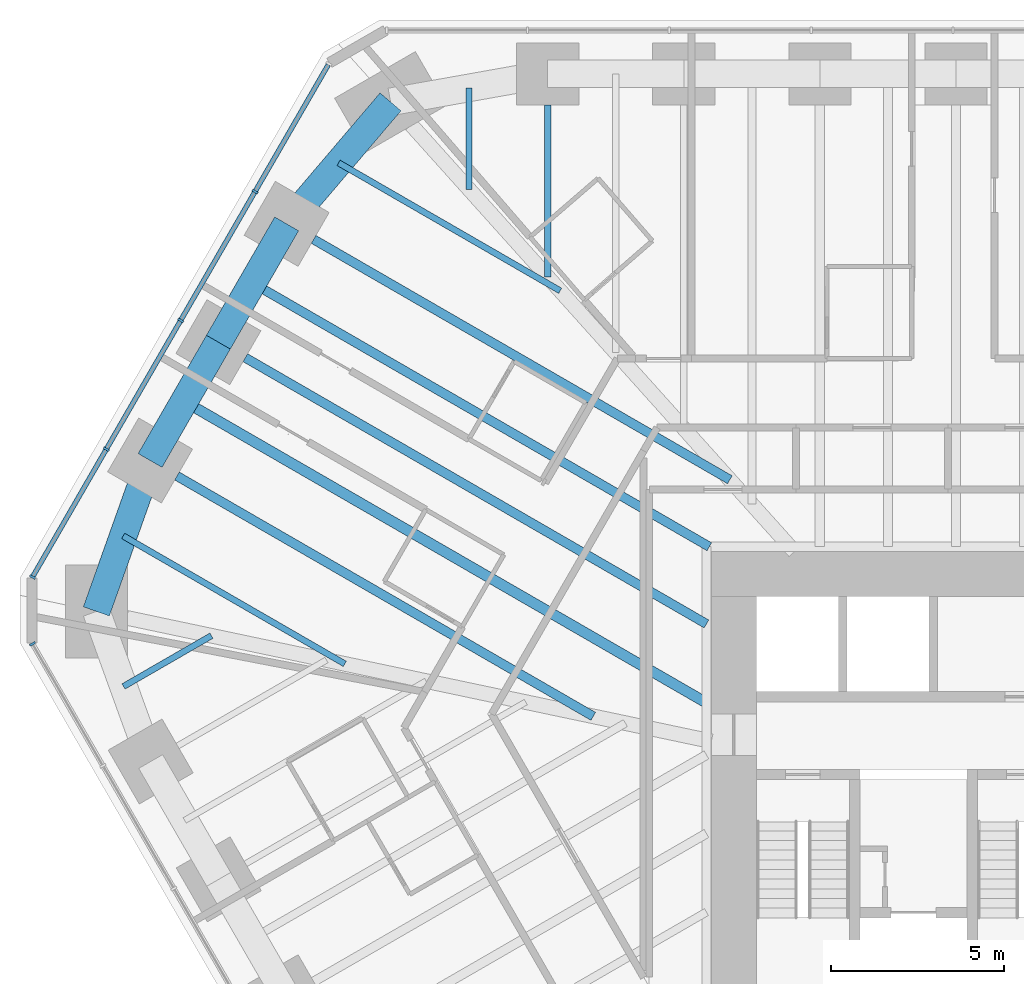
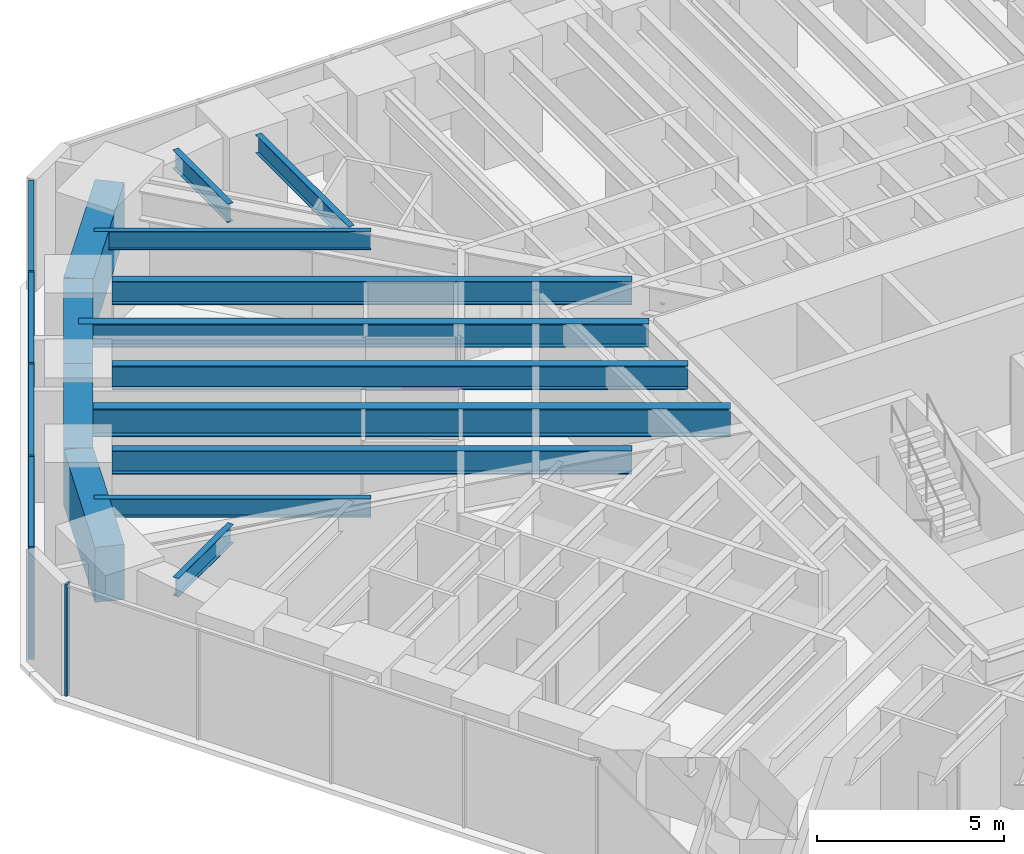
# One storey, part 7 of 17: 14 beams, 9 members, 2 elements without a shape of their own.
"""IFC4 building model written with IfcOpenShell, lengths in metres."""

from ifc_helpers import new_model, si_unit, direction, frame, origin, origin_2d, place, context, subcontext, project, spatial, rectangle, i_section, extrude, material, material_profile, profile_set, type_object, element, aggregate, save


model = new_model("IFC4")

# Units and contexts
model_context = context("Model", 3, precision=1e-05, world=origin(), true_north=direction((0.0, 1.0)))
body_context = subcontext(model_context, "Body", "Model", "MODEL_VIEW")
ifc_project = project(units=[si_unit("LENGTHUNIT", "METRE"), si_unit("AREAUNIT", "SQUARE_METRE"), si_unit("VOLUMEUNIT", "CUBIC_METRE"), si_unit("PLANEANGLEUNIT", "RADIAN"), si_unit("MASSUNIT", "GRAM", prefix="KILO")], contexts=[model_context])

# Site, building, storey
site_placement = place(None, origin())
site = spatial("IfcSite", under=ifc_project, at=site_placement, CompositionType="ELEMENT")
building_placement = place(site_placement, origin())
building = spatial("IfcBuilding", under=site, at=building_placement, Name="Sandreach Pilgrim Tower", CompositionType="ELEMENT")
storey_placement = place(building_placement, frame((0.0, 0.0, 108.199951171875)))
storey = spatial("IfcBuildingStorey", under=building, at=storey_placement, Name="L26", CompositionType="ELEMENT", Elevation=108.199951171875)

# Curtain wall, member
ifc_material_1 = material(Name="Aluminium framed curtain wall", Category="aluminium")
curtain_wall_type = type_object("IfcCurtainWallType", Name="Hotel tower curtain wall", PredefinedType="NOTDEFINED", material=ifc_material_1)
curtain_wall_1_placement = place(storey_placement, origin())
curtain_wall_1 = element("IfcCurtainWall", 1, at=curtain_wall_1_placement, inside=storey, type_object=curtain_wall_type, Name="CW-2 L26 SW", PredefinedType="NOTDEFINED")
ifc_material_2 = material(Name="Aluminium extrusion", Category="aluminium")
ifc_material_profile_1 = material_profile(ifc_material_2, rectangle(XDim=0.06494140625, YDim=0.179931640625, at=origin_2d()), Name="CW-2M 65X180")
ifc_profile_set_1 = profile_set([ifc_material_profile_1], Name="Aluminium extrusion")
member_type_1 = type_object("IfcMemberType", Name="CW-2 mullion", PredefinedType="MULLION", material=ifc_profile_set_1)
member_1_placement = place(storey_placement, frame((-28.70458984375, 4.730224609375, 0.0), z_axis=(0.0, 0.0, 1.0), x_axis=(-0.5, 0.866025403784, 0.0)))
member_1 = element("IfcMember", 2, at=member_1_placement, type_object=member_type_1, Name="CW-2 mullion 10", PredefinedType="MULLION", context=body_context, shape_type="SweptSolid", body=[
    extrude(rectangle(XDim=0.06494140625, YDim=0.179931640625, at=origin_2d()), origin(), (0.0, 0.0, 1.0), 3.64013671875),
])
aggregate(curtain_wall_1, [member_1])

# Curtain wall, members
curtain_wall_2_placement = place(storey_placement, origin())
curtain_wall_2 = element("IfcCurtainWall", 3, at=curtain_wall_2_placement, inside=storey, type_object=curtain_wall_type, Name="CW-2 L26 NW", PredefinedType="NOTDEFINED")
member_2_placement = place(storey_placement, frame((-28.70458984375, 6.66650390625, 0.0), z_axis=(0.0, 0.0, 1.0), x_axis=(0.5, 0.866025403784, 0.0)))
member_2 = element("IfcMember", 4, at=member_2_placement, type_object=member_type_1, Name="CW-2 mullion 1", PredefinedType="MULLION", context=body_context, shape_type="SweptSolid", body=[
    extrude(rectangle(XDim=0.06494140625, YDim=0.179931640625, at=origin_2d()), origin(), (0.0, 0.0, 1.0), 3.64013671875),
])
member_3_placement = place(storey_placement, frame((-26.568115234375, 10.3671875, 0.0), z_axis=(0.0, 0.0, 1.0), x_axis=(0.5, 0.866025403784, 0.0)))
member_3 = element("IfcMember", 5, at=member_3_placement, type_object=member_type_1, Name="CW-2 mullion 2", PredefinedType="MULLION", context=body_context, shape_type="SweptSolid", body=[
    extrude(rectangle(XDim=0.06494140625, YDim=0.179931640625, at=origin_2d()), origin(), (0.0, 0.0, 1.0), 3.64013671875),
])
member_4_placement = place(storey_placement, frame((-24.415283203125, 14.09619140625, 0.0), z_axis=(0.0, 0.0, 1.0), x_axis=(0.5, 0.866025403784, 0.0)))
member_4 = element("IfcMember", 6, at=member_4_placement, type_object=member_type_1, Name="CW-2 mullion 3", PredefinedType="MULLION", context=body_context, shape_type="SweptSolid", body=[
    extrude(rectangle(XDim=0.06494140625, YDim=0.179931640625, at=origin_2d()), origin(), (0.0, 0.0, 1.0), 3.64013671875),
])
member_5_placement = place(storey_placement, frame((-22.262451171875, 17.824951171875, 0.0), z_axis=(0.0, 0.0, 1.0), x_axis=(0.5, 0.866025403784, 0.0)))
member_5 = element("IfcMember", 7, at=member_5_placement, type_object=member_type_1, Name="CW-2 mullion 4", PredefinedType="MULLION", context=body_context, shape_type="SweptSolid", body=[
    extrude(rectangle(XDim=0.06494140625, YDim=0.179931640625, at=origin_2d()), origin(), (0.0, 0.0, 1.0), 3.64013671875),
])
ifc_material_3 = material(Name="Aluminium extrusion", Category="aluminium")
ifc_material_profile_2 = material_profile(ifc_material_3, rectangle(XDim=0.139892578125, YDim=0.070068359375, at=origin_2d()), Name="CW-2T 140X70")
ifc_profile_set_2 = profile_set([ifc_material_profile_2], Name="Aluminium extrusion")
member_type_2 = type_object("IfcMemberType", Name="CW-2 transom", PredefinedType="USERDEFINED", material=ifc_profile_set_2)
member_6_placement = place(storey_placement, frame((-28.6884765625, 6.69482421875, 3.60498046875), z_axis=(0.500038835258, 0.866002981077, 0.0), x_axis=(-0.866002981077, 0.500038835258, 0.0)))
member_6 = element("IfcMember", 8, at=member_6_placement, type_object=member_type_2, Name="CW-2 head transom 1", ObjectType="TRANSOM", PredefinedType="USERDEFINED", context=body_context, shape_type="SweptSolid", body=[
    extrude(rectangle(XDim=0.139892578125, YDim=0.070068359375, at=origin_2d()), origin(), (0.0, 0.0, 1.0), 4.208251953125),
])
member_7_placement = place(storey_placement, frame((-26.5517578125, 10.3955078125, 3.60498046875), z_axis=(0.500021471012, 0.866013007135, 0.0), x_axis=(-0.866013007135, 0.500021471012, 0.0)))
member_7 = element("IfcMember", 9, at=member_7_placement, type_object=member_type_2, Name="CW-2 head transom 2", ObjectType="TRANSOM", PredefinedType="USERDEFINED", context=body_context, shape_type="SweptSolid", body=[
    extrude(rectangle(XDim=0.139892578125, YDim=0.070068359375, at=origin_2d()), origin(), (0.0, 0.0, 1.0), 4.240478515625),
])
member_8_placement = place(storey_placement, frame((-24.39892578125, 14.124267578125, 3.60498046875), z_axis=(0.499996541496, 0.866027400544, 0.0), x_axis=(-0.866027400544, 0.499996541496, 0.0)))
member_8 = element("IfcMember", 10, at=member_8_placement, type_object=member_type_2, Name="CW-2 head transom 3", ObjectType="TRANSOM", PredefinedType="USERDEFINED", context=body_context, shape_type="SweptSolid", body=[
    extrude(rectangle(XDim=0.139892578125, YDim=0.070068359375, at=origin_2d()), origin(), (0.0, 0.0, 1.0), 4.24072265625),
])
member_9_placement = place(storey_placement, frame((-22.24609375, 17.85302734375, 3.60498046875), z_axis=(0.49997020258, 0.86604260665, 0.0), x_axis=(-0.86604260665, 0.49997020258, 0.0)))
member_9 = element("IfcMember", 11, at=member_9_placement, type_object=member_type_2, Name="CW-2 head transom 4", ObjectType="TRANSOM", PredefinedType="USERDEFINED", context=body_context, shape_type="SweptSolid", body=[
    extrude(rectangle(XDim=0.139892578125, YDim=0.070068359375, at=origin_2d()), origin(), (0.0, 0.0, 1.0), 4.208251953125),
])
aggregate(curtain_wall_2, [member_2, member_3, member_4, member_5, member_6, member_7, member_8, member_9])

# Beams
ifc_material_4 = material(Name="Steel ASTM A992 Grade 50", Category="steel")
ifc_material_profile_3 = material_profile(ifc_material_4, i_section(OverallWidth=0.1787109375, OverallDepth=0.60205078125, WebThickness=0.010986328125, FlangeThickness=0.014892578125, at=origin_2d()), Name="W24X62")
ifc_profile_set_3 = profile_set([ifc_material_profile_3], Name="Steel ASTM A992 Grade 50")
beam_type_1 = type_object("IfcBeamType", Name="Floor beam W24X62", PredefinedType="BEAM", material=ifc_profile_set_3)
beam_1_placement = place(storey_placement, frame((-13.789794921875, 20.333740234375, 3.339111328125), z_axis=(0.0, -1.0, 0.0), x_axis=(1.0, 0.0, 0.0)))
element("IfcBeam", 12, at=beam_1_placement, inside=storey, type_object=beam_type_1, Name="BM L26 F01", PredefinedType="BEAM", context=body_context, shape_type="SweptSolid", body=[
    extrude(i_section(OverallWidth=0.1787109375, OverallDepth=0.60205078125, WebThickness=0.010986328125, FlangeThickness=0.014892578125, at=origin_2d()), origin(), (0.0, 0.0, 1.0), 4.9765625),
])
beam_2_placement = place(storey_placement, frame((-26.070556640625, 3.498046875, 3.339111328125), z_axis=(0.866051374412, 0.499955014855, 0.0), x_axis=(-0.499955014855, 0.866051374412, 0.0)))
element("IfcBeam", 13, at=beam_2_placement, inside=storey, type_object=beam_type_1, Name="BM L26 FM34", PredefinedType="BEAM", context=body_context, shape_type="SweptSolid", body=[
    extrude(i_section(OverallWidth=0.1787109375, OverallDepth=0.60205078125, WebThickness=0.010986328125, FlangeThickness=0.014892578125, at=origin_2d()), origin(), (0.0, 0.0, 1.0), 2.938232421875),
])
for number, where, z_axis, x_axis, name in (
    (14, (-26.079345703125, 7.855712890625, 3.339111328125), (0.866025875064, -0.499999183719, 0.0), (0.499999183719, 0.866025875064, 0.0), "BM L26 FM35"),
    (15, (-19.8427734375, 18.65771484375, 3.339111328125), (0.866025875064, -0.499999183719, 0.0), (0.499999183719, 0.866025875064, 0.0), "BM L26 FM38"),
):
    element("IfcBeam", number, at=place(storey_placement, frame(where, z_axis=z_axis, x_axis=x_axis)), inside=storey, type_object=beam_type_1, Name=name, PredefinedType="BEAM", context=body_context, shape_type="SweptSolid", body=[
        extrude(i_section(OverallWidth=0.1787109375, OverallDepth=0.60205078125, WebThickness=0.010986328125, FlangeThickness=0.014892578125, at=origin_2d()), origin(), (0.0, 0.0, 1.0), 7.40771484375),
    ])
beam_3_placement = place(storey_placement, frame((-16.064697265625, 20.828857421875, 3.339111328125), z_axis=(0.0, -1.0, 0.0), x_axis=(1.0, 0.0, 0.0)))
element("IfcBeam", 16, at=beam_3_placement, inside=storey, type_object=beam_type_1, Name="BM L26 FM39", PredefinedType="BEAM", context=body_context, shape_type="SweptSolid", body=[
    extrude(i_section(OverallWidth=0.1787109375, OverallDepth=0.60205078125, WebThickness=0.010986328125, FlangeThickness=0.014892578125, at=origin_2d()), origin(), (0.0, 0.0, 1.0), 2.938232421875),
])
ifc_material_5 = material(Name="Steel ASTM A992 Grade 50", Category="steel")
ifc_material_profile_4 = material_profile(ifc_material_5, i_section(OverallWidth=0.2666015625, OverallDepth=0.761962890625, WebThickness=0.014404296875, FlangeThickness=0.021484375, at=origin_2d()), Name="W30X116")
ifc_profile_set_4 = profile_set([ifc_material_profile_4], Name="Steel ASTM A992 Grade 50")
beam_type_2 = type_object("IfcBeamType", Name="Floor beam W30X116", PredefinedType="BEAM", material=ifc_profile_set_4)
beam_4_placement = place(storey_placement, frame((-24.522216796875, 9.5908203125, 3.259033203125), z_axis=(0.866026649588, -0.499997842199, 0.0), x_axis=(0.499997842199, 0.866026649588, 0.0)))
element("IfcBeam", 17, at=beam_4_placement, inside=storey, type_object=beam_type_2, Name="BM L26 F36", PredefinedType="BEAM", context=body_context, shape_type="SweptSolid", body=[
    extrude(i_section(OverallWidth=0.2666015625, OverallDepth=0.761962890625, WebThickness=0.014404296875, FlangeThickness=0.021484375, at=origin_2d()), origin(), (0.0, 0.0, 1.0), 13.91552734375),
])
beam_5_placement = place(storey_placement, frame((-20.56689453125, 16.44140625, 3.259033203125), z_axis=(0.866022263426, -0.500005439221, 0.0), x_axis=(0.500005439221, 0.866022263426, 0.0)))
element("IfcBeam", 18, at=beam_5_placement, inside=storey, type_object=beam_type_2, Name="BM L26 F38", PredefinedType="BEAM", context=body_context, shape_type="SweptSolid", body=[
    extrude(i_section(OverallWidth=0.2666015625, OverallDepth=0.761962890625, WebThickness=0.014404296875, FlangeThickness=0.021484375, at=origin_2d()), origin(), (0.0, 0.0, 1.0), 13.915283203125),
])
ifc_material_6 = material(Name="Steel ASTM A992 Grade 50", Category="steel")
ifc_material_profile_5 = material_profile(ifc_material_6, i_section(OverallWidth=0.2666015625, OverallDepth=0.77978515625, WebThickness=0.0166015625, FlangeThickness=0.030029296875, at=origin_2d()), Name="W30X148")
ifc_profile_set_5 = profile_set([ifc_material_profile_5], Name="Steel ASTM A992 Grade 50")
beam_type_3 = type_object("IfcBeamType", Name="Floor beam W30X148", PredefinedType="BEAM", material=ifc_profile_set_5)
beam_6_placement = place(storey_placement, frame((-22.544677734375, 13.01611328125, 3.250244140625), z_axis=(0.866029203842, -0.49999341805, 0.0), x_axis=(0.49999341805, 0.866029203842, 0.0)))
element("IfcBeam", 19, at=beam_6_placement, inside=storey, type_object=beam_type_3, Name="BM L26 F37", PredefinedType="BEAM", context=body_context, shape_type="SweptSolid", body=[
    extrude(i_section(OverallWidth=0.2666015625, OverallDepth=0.77978515625, WebThickness=0.0166015625, FlangeThickness=0.030029296875, at=origin_2d()), origin(), (0.0, 0.0, 1.0), 15.416748046875),
])
beam_7_placement = place(storey_placement, frame((-22.335205078125, 15.1787109375, 3.250244140625), z_axis=(0.866028773314, -0.499994163758, 0.0), x_axis=(0.499994163758, 0.866028773314, 0.0)))
element("IfcBeam", 20, at=beam_7_placement, inside=storey, type_object=beam_type_3, Name="BM L26 FM37", PredefinedType="BEAM", context=body_context, shape_type="SweptSolid", body=[
    extrude(i_section(OverallWidth=0.2666015625, OverallDepth=0.77978515625, WebThickness=0.0166015625, FlangeThickness=0.030029296875, at=origin_2d()), origin(), (0.0, 0.0, 1.0), 15.270751953125),
])
ifc_material_7 = material(Name="Steel ASTM A992 Grade 50", Category="steel")
ifc_material_profile_6 = material_profile(ifc_material_7, i_section(OverallWidth=0.3046875, OverallDepth=0.914306640625, WebThickness=0.0166015625, FlangeThickness=0.02587890625, at=origin_2d()), Name="W36X160")
ifc_profile_set_6 = profile_set([ifc_material_profile_6], Name="Steel ASTM A992 Grade 50")
beam_type_4 = type_object("IfcBeamType", Name="Floor beam W36X160", PredefinedType="BEAM", material=ifc_profile_set_6)
beam_8_placement = place(storey_placement, frame((-24.312744140625, 11.75341796875, 3.182861328125), z_axis=(0.866023737483, -0.500002886107, 0.0), x_axis=(0.500002886107, 0.866023737483, 0.0)))
element("IfcBeam", 21, at=beam_8_placement, inside=storey, type_object=beam_type_4, Name="BM L26 FM36", PredefinedType="BEAM", context=body_context, shape_type="SweptSolid", body=[
    extrude(i_section(OverallWidth=0.3046875, OverallDepth=0.914306640625, WebThickness=0.0166015625, FlangeThickness=0.02587890625, at=origin_2d()), origin(), (0.0, 0.0, 1.0), 17.45849609375),
])
ifc_material_8 = material(Name="Concrete 10000 psi", Category="concrete")
ifc_material_profile_7 = material_profile(ifc_material_8, rectangle(XDim=0.800048828125, YDim=1.800048828125, at=origin_2d()), Name="RC800X1800")
ifc_profile_set_7 = profile_set([ifc_material_profile_7], Name="Concrete 10000 psi")
beam_type_5 = type_object("IfcBeamType", Name="Spandrel beam RC800X1800", PredefinedType="SPANDREL", material=ifc_profile_set_7)
beam_9_placement = place(storey_placement, frame((-26.857177734375, 5.67041015625, 2.739990234375), z_axis=(0.335346041399, 0.942095023083, 0.0), x_axis=(-0.942095023083, 0.335346041399, 0.0)))
element("IfcBeam", 22, at=beam_9_placement, inside=storey, type_object=beam_type_5, Name="BM L26 SP35", PredefinedType="SPANDREL", context=body_context, shape_type="SweptSolid", body=[
    extrude(rectangle(XDim=0.800048828125, YDim=1.800048828125, at=origin_2d()), origin(), (0.0, 0.0, 1.0), 4.638916015625),
])
for number, where, z_axis, x_axis, name in (
    (23, (-25.301513671875, 10.040771484375, 2.739990234375), (0.499989616998, 0.866031398331, 0.0), (-0.866031398331, 0.499989616998, 0.0), "BM L26 SP36"),
    (24, (-23.323974609375, 13.466064453125, 2.739990234375), (0.499989616998, 0.866031398331, 0.0), (-0.866031398331, 0.499989616998, 0.0), "BM L26 SP37"),
):
    element("IfcBeam", number, at=place(storey_placement, frame(where, z_axis=z_axis, x_axis=x_axis)), inside=storey, type_object=beam_type_5, Name=name, PredefinedType="SPANDREL", context=body_context, shape_type="SweptSolid", body=[
        extrude(rectangle(XDim=0.800048828125, YDim=1.800048828125, at=origin_2d()), origin(), (0.0, 0.0, 1.0), 3.955078125),
    ])
beam_10_placement = place(storey_placement, frame((-21.346435546875, 16.891357421875, 2.739990234375), z_axis=(0.648208888384, 0.761462564425, 0.0), x_axis=(-0.761462564425, 0.648208888384, 0.0)))
element("IfcBeam", 25, at=beam_10_placement, inside=storey, type_object=beam_type_5, Name="BM L26 SP38", PredefinedType="SPANDREL", context=body_context, shape_type="SweptSolid", body=[
    extrude(rectangle(XDim=0.800048828125, YDim=1.800048828125, at=origin_2d()), origin(), (0.0, 0.0, 1.0), 4.63916015625),
])

save(model, "model.ifc")
